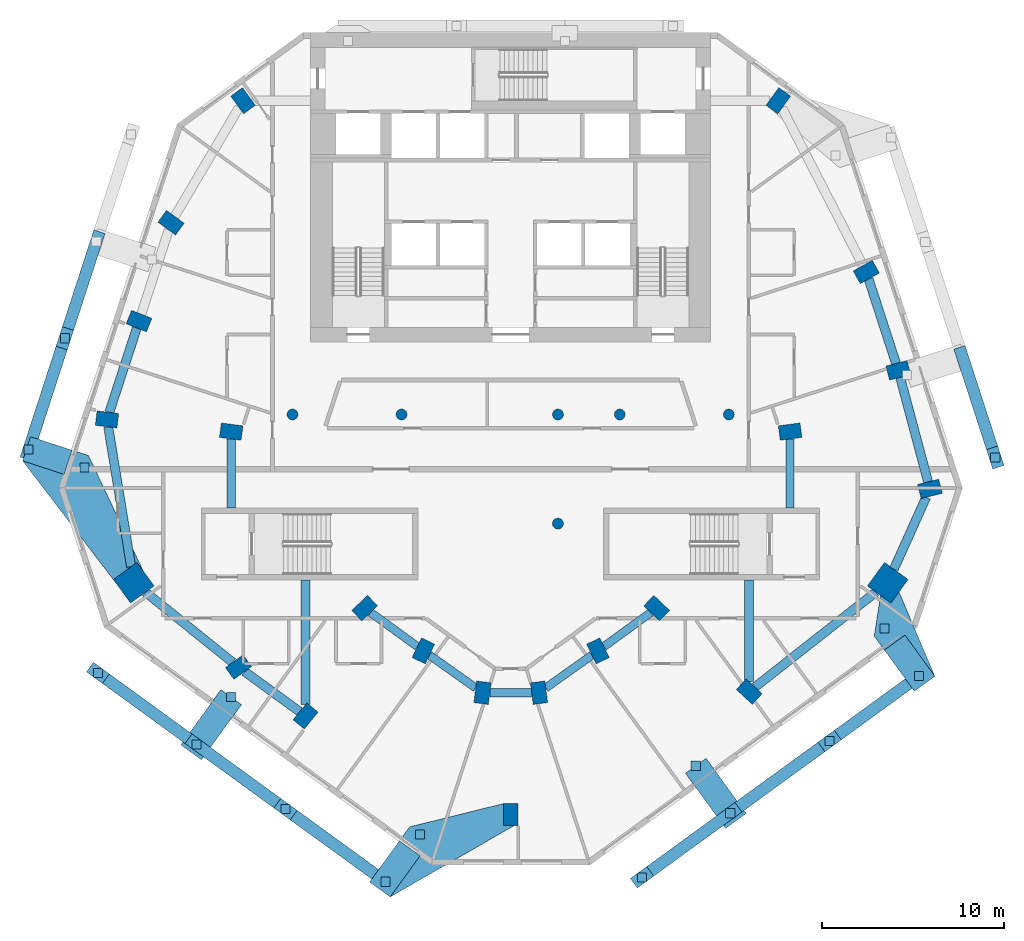
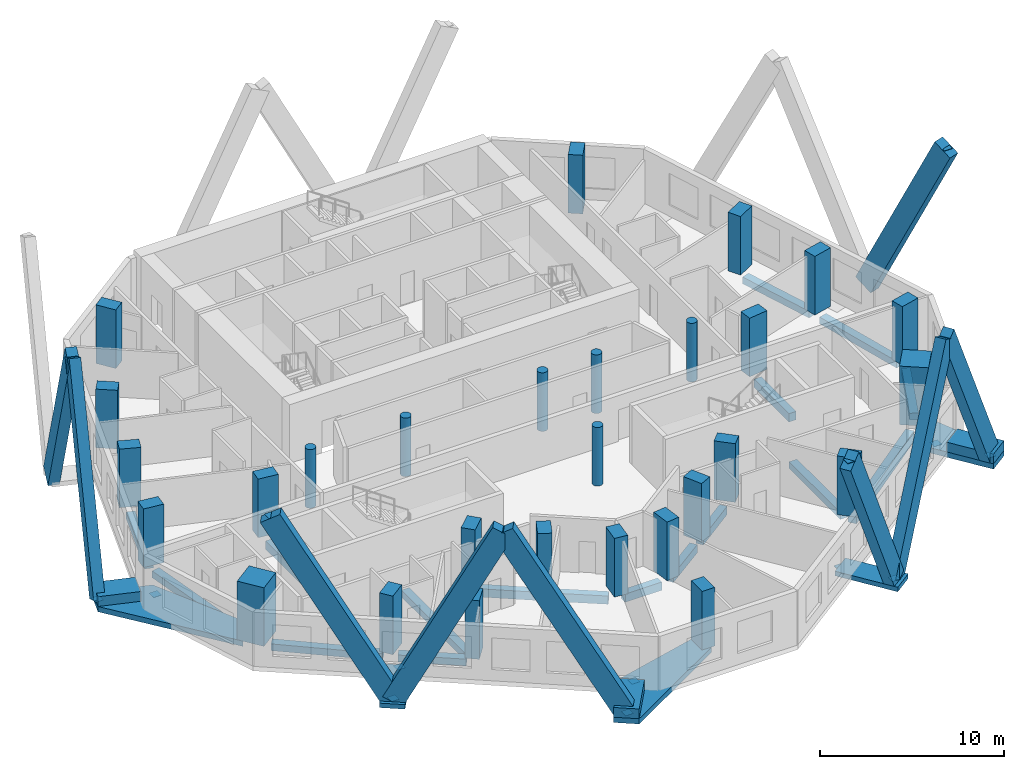
# One storey, part 1 of 10: 28 columns, 17 beams, 17 members, 16 discrete accessories.
"""IFC4 building model written with IfcOpenShell, lengths in metres."""

from ifc_helpers import new_model, si_unit, direction, frame, origin, origin_2d, place, context, subcontext, project, spatial, polyline, rectangle, circle, outline, extrude, material, layer, layer_set, material_profile, profile_set, type_object, element, aggregate, save


model = new_model("IFC4")

# Units and contexts
model_context = context("Model", 3, precision=1e-05, world=origin(), true_north=direction((0.0, 1.0)))
body_context = subcontext(model_context, "Body", "Model", "MODEL_VIEW")
ifc_project = project(units=[si_unit("LENGTHUNIT", "METRE"), si_unit("AREAUNIT", "SQUARE_METRE"), si_unit("VOLUMEUNIT", "CUBIC_METRE"), si_unit("PLANEANGLEUNIT", "RADIAN"), si_unit("MASSUNIT", "GRAM", prefix="KILO")], contexts=[model_context])

# Site, building, storey
site_placement = place(None, origin())
site = spatial("IfcSite", under=ifc_project, at=site_placement, CompositionType="ELEMENT")
building_placement = place(site_placement, origin())
building = spatial("IfcBuilding", under=site, at=building_placement, Name="White Candle Pilgrim Tower", CompositionType="ELEMENT")
storey_placement = place(building_placement, frame((0.0, 0.0, 208.199951171875)))
storey = spatial("IfcBuildingStorey", under=building, at=storey_placement, Name="L48", CompositionType="ELEMENT", Elevation=208.199951171875)

# Columns
ifc_material_1 = material(Name="Concrete C70/85", Category="concrete")
ifc_material_profile_1 = material_profile(ifc_material_1, circle(Radius=0.300048828125, at=origin_2d()), Name="RC-COL D600")
ifc_profile_set_1 = profile_set([ifc_material_profile_1], Name="Concrete C70/85")
column_type_1 = type_object("IfcColumnType", Name="Interior column RC-COL D600 C70/85", PredefinedType="COLUMN", material=ifc_profile_set_1)
for number, where, z_axis, x_axis, name in (
    (1, (58.0, 67.0, 0.0), (0.0, 0.0, 1.0), (1.0, 0.0, 0.0), "L48 column I01"),
    (2, (64.0, 67.0, 0.0), (0.0, 0.0, 1.0), (1.0, 0.0, 0.0), "L48 column I02"),
    (3, (72.60009765625, 61.0, 0.0), (0.0, 0.0, 1.0), (1.0, 0.0, 0.0), "L48 column I03"),
    (4, (72.60009765625, 67.0, 0.0), (0.0, 0.0, 1.0), (1.0, 0.0, 0.0), "L48 column I04"),
    (5, (76.0, 67.0, 0.0), (0.0, 0.0, 1.0), (1.0, 0.0, 0.0), "L48 column I05"),
    (6, (82.0, 67.0, 0.0), (0.0, 0.0, 1.0), (1.0, 0.0, 0.0), "L48 column I06"),
):
    element("IfcColumn", number, at=place(storey_placement, frame(where, z_axis=z_axis, x_axis=x_axis)), inside=storey, type_object=column_type_1, Name=name, PredefinedType="COLUMN", context=body_context, shape_type="SweptSolid", body=[
        extrude(circle(Radius=0.300048828125, at=origin_2d()), origin(), (0.0, 0.0, 1.0), 3.900146484375),
    ])
ifc_material_profile_2 = material_profile(ifc_material_1, rectangle(XDim=1.60009765625, YDim=1.60009765625, at=origin_2d()), Name="RC 1600x1600")
ifc_profile_set_2 = profile_set([ifc_material_profile_2], Name="Concrete C70/85")
column_type_2 = type_object("IfcColumnType", Name="Mega column RC 1600x1600 C70/85", PredefinedType="COLUMN", material=ifc_profile_set_2)
for number, where, z_axis, x_axis, name in (
    (7, (49.27001953125, 57.75, 0.0), (0.0, 0.0, 1.0), (-0.809016994375, -0.587785252292, 0.0), "L48 mega column T01"),
    (8, (90.739990234375, 57.75, 0.0), (0.0, 0.0, 1.0), (0.809016994375, -0.587785252292, 0.0), "L48 mega column T06"),
):
    element("IfcColumn", number, at=place(storey_placement, frame(where, z_axis=z_axis, x_axis=x_axis)), inside=storey, type_object=column_type_2, Name=name, PredefinedType="COLUMN", context=body_context, shape_type="SweptSolid", body=[
        extrude(rectangle(XDim=1.60009765625, YDim=1.60009765625, at=origin_2d()), origin(), (0.0, 0.0, 1.0), 3.900146484375),
    ])
ifc_material_profile_3 = material_profile(ifc_material_1, rectangle(XDim=0.800048828125, YDim=1.199951171875, at=origin_2d()), Name="RC-PR 800x1200")
ifc_profile_set_3 = profile_set([ifc_material_profile_3], Name="Concrete C70/85")
column_type_3 = type_object("IfcColumnType", Name="Perimeter column RC-PR 800x1200 C70/85", PredefinedType="COLUMN", material=ifc_profile_set_3)
for number, where, z_axis, x_axis, name in (
    (9, (55.030029296875, 53.110107421875, 0.0), (0.0, 0.0, 1.0), (-0.58846280644, 0.808524288711, 0.0), "L48 column T02"),
    (10, (58.719970703125, 50.419921875, 0.0), (0.0, 0.0, 1.0), (-0.769310358735, 0.638875239733, 0.0), "L48 column T03"),
    (11, (70.0, 45.0, 0.0), (0.0, 0.0, 1.0), (-1.0, 0.0, 0.0), "L48 column T04"),
    (12, (83.1201171875, 51.760009765625, 0.0), (0.0, 0.0, 1.0), (-0.681998360062, -0.731353701619, 0.0), "L48 column T05"),
    (13, (93.06005859375, 62.909912109375, 0.0), (0.0, 0.0, 1.0), (0.246880623275, -0.969045900797, 0.0), "L48 column T07"),
    (14, (91.320068359375, 69.429931640625, 0.0), (0.0, 0.0, 1.0), (0.246880623275, -0.969045900797, 0.0), "L48 column T08"),
    (15, (89.56005859375, 74.840087890625, 0.0), (0.0, 0.0, 1.0), (0.484809620246, -0.874619707139, 0.0), "L48 column T09"),
    (16, (84.719970703125, 84.260009765625, 0.0), (0.0, 0.0, 1.0), (0.80902725304, -0.587771132193, 0.0), "L48 column T10"),
    (17, (55.280029296875, 84.260009765625, 0.0), (0.0, 0.0, 1.0), (0.80902725304, 0.587771132193, 0.0), "L48 column T11"),
    (18, (51.320068359375, 77.550048828125, 0.0), (0.0, 0.0, 1.0), (0.587107285614, 0.809509132239, 0.0), "L48 column T12"),
    (19, (49.56005859375, 72.139892578125, 0.0), (0.0, 0.0, 1.0), (0.369860269472, 0.929087391512, 0.0), "L48 column T13"),
    (20, (47.800048828125, 66.72998046875, 0.0), (0.0, 0.0, 1.0), (0.121869343405, 0.992546151641, 0.0), "L48 column T14"),
):
    element("IfcColumn", number, at=place(storey_placement, frame(where, z_axis=z_axis, x_axis=x_axis)), inside=storey, type_object=column_type_3, Name=name, PredefinedType="COLUMN", context=body_context, shape_type="SweptSolid", body=[
        extrude(rectangle(XDim=0.800048828125, YDim=1.199951171875, at=origin_2d()), origin(), (0.0, 0.0, 1.0), 3.900146484375),
    ])
ifc_material_profile_4 = material_profile(ifc_material_1, rectangle(XDim=0.800048828125, YDim=1.199951171875, at=origin_2d()), Name="RC-PR 800x1200")
ifc_profile_set_4 = profile_set([ifc_material_profile_4], Name="Concrete C70/85")
column_type_4 = type_object("IfcColumnType", Name="Ring column RC-PR 800x1200 C70/85", PredefinedType="COLUMN", material=ifc_profile_set_4)
for number, where, z_axis, x_axis, name in (
    (21, (61.969970703125, 56.35009765625, 0.0), (0.0, 0.0, 1.0), (-0.689872285383, 0.723931094691, 0.0), "L48 column R01"),
    (22, (65.199951171875, 54.0, 0.0), (0.0, 0.0, 1.0), (-0.901689191761, 0.43238478403, 0.0), "L48 column R02"),
    (23, (68.449951171875, 51.699951171875, 0.0), (0.0, 0.0, 1.0), (-0.992092811428, 0.125506388335, 0.0), "L48 column R03"),
    (24, (71.56005859375, 51.699951171875, 0.0), (0.0, 0.0, 1.0), (-0.992092811428, -0.125506388335, 0.0), "L48 column R04"),
    (25, (74.800048828125, 54.0, 0.0), (0.0, 0.0, 1.0), (-0.901689191761, -0.43238478403, 0.0), "L48 column R05"),
    (26, (78.030029296875, 56.35009765625, 0.0), (0.0, 0.0, 1.0), (-0.689872285383, -0.723931094691, 0.0), "L48 column R06"),
    (27, (85.3701171875, 66.06005859375, 0.0), (0.0, 0.0, 1.0), (0.132602381688, -0.991169313675, 0.0), "L48 column R07"),
    (28, (54.6298828125, 66.06005859375, 0.0), (0.0, 0.0, 1.0), (0.132602381688, 0.991169313675, 0.0), "L48 column R08"),
):
    element("IfcColumn", number, at=place(storey_placement, frame(where, z_axis=z_axis, x_axis=x_axis)), inside=storey, type_object=column_type_4, Name=name, PredefinedType="COLUMN", context=body_context, shape_type="SweptSolid", body=[
        extrude(rectangle(XDim=0.800048828125, YDim=1.199951171875, at=origin_2d()), origin(), (0.0, 0.0, 1.0), 3.900146484375),
    ])

# Member
ifc_material_2 = material(Name="Concrete C70/85, white", Category="concrete")
ifc_material_profile_5 = material_profile(ifc_material_2, rectangle(XDim=0.64990234375, YDim=1.25, at=origin_2d()), Name="RC-DG 650x1250")
ifc_profile_set_5 = profile_set([ifc_material_profile_5], Name="Concrete C70/85, white")
member_type_1 = type_object("IfcMemberType", Name="Exoskeleton diagonal RC-DG 650x1250 C70/85", PredefinedType="BRACE", material=ifc_profile_set_5)
member_1_placement = place(storey_placement, frame((94.856201171875, 70.162841796875, 0.0), z_axis=(0.137470252025, -0.423100395032, 0.895593649783), x_axis=(0.951058762253, 0.309010081941, 0.0)))
member_1 = element("IfcMember", 29, at=member_1_placement, inside=storey, type_object=member_type_1, Name="Exoskeleton diagonal EX196", PredefinedType="BRACE", context=body_context, shape_type="SweptSolid", body=[
    extrude(rectangle(XDim=0.64990234375, YDim=1.25, at=origin_2d()), origin(), (0.0, 0.0, 1.0), 13.06396484375),
])

member_2_placement = place(storey_placement, frame((82.077392578125, 45.072509765625, 0.0), z_axis=(-0.369076415392, -0.268135612712, 0.889879706925), x_axis=(0.587765023892, -0.809031690782, 0.0)))
member_2 = element("IfcMember", 30, at=member_2_placement, inside=storey, type_object=member_type_1, Name="Exoskeleton diagonal EX208", PredefinedType="BRACE", context=body_context, shape_type="SweptSolid", body=[
    extrude(rectangle(XDim=0.64990234375, YDim=1.25, at=origin_2d()), origin(), (0.0, 0.0, 1.0), 13.147705078125),
])

member_3_placement = place(storey_placement, frame((82.077392578125, 45.072509765625, 0.0), z_axis=(0.404490910565, 0.293894280414, 0.86603305665), x_axis=(-0.58780414397, 0.809003268431, 0.0)))
member_3 = element("IfcMember", 31, at=member_3_placement, inside=storey, type_object=member_type_1, Name="Exoskeleton diagonal EX209", PredefinedType="BRACE", context=body_context, shape_type="SweptSolid", body=[
    extrude(rectangle(XDim=0.64990234375, YDim=1.25, at=origin_2d()), origin(), (0.0, 0.0, 1.0), 13.509765625),
])

member_4_placement = place(storey_placement, frame((92.45947265625, 52.61572265625, 0.0), z_axis=(-0.372970068371, -0.270978253427, 0.887391747916), x_axis=(0.587784737056, -0.809017368716, 0.0)))
member_4 = element("IfcMember", 32, at=member_4_placement, inside=storey, type_object=member_type_1, Name="Exoskeleton diagonal EX210", PredefinedType="BRACE", context=body_context, shape_type="SweptSolid", body=[
    extrude(rectangle(XDim=0.64990234375, YDim=1.25, at=origin_2d()), origin(), (0.0, 0.0, 1.0), 13.1845703125),
])

member_5_placement = place(storey_placement, frame((52.731689453125, 48.84423828125, 0.0), z_axis=(-0.402687154242, 0.292559004419, 0.867324786191), x_axis=(-0.587771657404, -0.809026871465, 0.0)))
member_5 = element("IfcMember", 33, at=member_5_placement, inside=storey, type_object=member_type_1, Name="Exoskeleton diagonal EX220", PredefinedType="BRACE", context=body_context, shape_type="SweptSolid", body=[
    extrude(rectangle(XDim=0.64990234375, YDim=1.25, at=origin_2d()), origin(), (0.0, 0.0, 1.0), 13.48974609375),
])

member_6_placement = place(storey_placement, frame((52.731689453125, 48.84423828125, 0.0), z_axis=(0.371027332163, -0.269559914421, 0.888637255198), x_axis=(0.587774946122, 0.809024482146, 0.0)))
member_6 = element("IfcMember", 34, at=member_6_placement, inside=storey, type_object=member_type_1, Name="Exoskeleton diagonal EX221", PredefinedType="BRACE", context=body_context, shape_type="SweptSolid", body=[
    extrude(rectangle(XDim=0.64990234375, YDim=1.25, at=origin_2d()), origin(), (0.0, 0.0, 1.0), 13.166259765625),
])

member_7_placement = place(storey_placement, frame((63.11376953125, 41.301025390625, 0.0), z_axis=(-0.406288754375, 0.295207142546, 0.864744003193), x_axis=(-0.587812729451, -0.808997030338, 0.0)))
member_7 = element("IfcMember", 35, at=member_7_placement, inside=storey, type_object=member_type_1, Name="Exoskeleton diagonal EX222", PredefinedType="BRACE", context=body_context, shape_type="SweptSolid", body=[
    extrude(rectangle(XDim=0.64990234375, YDim=1.25, at=origin_2d()), origin(), (0.0, 0.0, 1.0), 13.530029296875),
])

member_8_placement = place(storey_placement, frame((47.208251953125, 76.51611328125, 0.0), z_axis=(-0.133351284051, -0.410369564133, 0.902116542291), x_axis=(0.951046891837, -0.309046613843, 0.0)))
member_8 = element("IfcMember", 36, at=member_8_placement, inside=storey, type_object=member_type_1, Name="Exoskeleton diagonal EX233", PredefinedType="BRACE", context=body_context, shape_type="SweptSolid", body=[
    extrude(rectangle(XDim=0.64990234375, YDim=1.25, at=origin_2d()), origin(), (0.0, 0.0, 1.0), 12.969482421875),
])

member_9_placement = place(storey_placement, frame((43.491455078125, 65.077392578125, 0.0), z_axis=(0.148850599822, 0.458127036529, 0.87633504856), x_axis=(-0.951058894318, 0.309009675478, 0.0)))
member_9 = element("IfcMember", 37, at=member_9_placement, inside=storey, type_object=member_type_1, Name="Exoskeleton diagonal EX234", PredefinedType="BRACE", context=body_context, shape_type="SweptSolid", body=[
    extrude(rectangle(XDim=0.64990234375, YDim=1.25, at=origin_2d()), origin(), (0.0, 0.0, 1.0), 13.35107421875),
])

ifc_layer_1 = layer(ifc_material_2, 0.300048828125)
ifc_layer_set_1 = layer_set([ifc_layer_1], Name="Node tie strut 3350x1400x300 C70/85")
member_type_2 = type_object("IfcMemberType", Name="Node tie strut 3350x1400x300 C70/85", PredefinedType="STRUT", material=ifc_layer_set_1)
member_10_placement = place(storey_placement, frame((0.0, 0.0, -0.349853515625)))
member_10 = element("IfcMember", 38, at=member_10_placement, inside=storey, type_object=member_type_2, Name="Node tie strut NC171", PredefinedType="STRUT", context=body_context, shape_type="SweptSolid", body=[
    extrude(outline(polyline([(48.349853515625, 57.655517578125), (48.152587890625, 57.927001953125), (49.447021484375, 58.867431640625), (49.7958984375, 58.38720703125), (46.77490234375, 64.74658203125), (43.589111328125, 65.78173828125), (43.156494140625, 64.450439453125), (48.349853515625, 57.655517578125)])), origin(), (0.0, 0.0, 1.0), 0.349853515625),
])

member_11_placement = place(storey_placement, origin())
element("IfcMember", 39, at=member_11_placement, inside=storey, type_object=member_type_2, Name="Node tie strut NC171", PredefinedType="STRUT", context=body_context, shape_type="SweptSolid", body=[
    extrude(outline(polyline([(45.43896484375, 63.708740234375), (45.87158203125, 65.040283203125), (43.589111328125, 65.78173828125), (43.156494140625, 64.450439453125), (45.43896484375, 63.708740234375)])), origin(), (0.0, 0.0, 1.0), 0.650146484375),
])

ifc_layer_2 = layer(ifc_material_2, 0.300048828125)
ifc_layer_set_2 = layer_set([ifc_layer_2], Name="Node tie strut 3750x1400x300 C70/85")
member_type_3 = type_object("IfcMemberType", Name="Node tie strut 3750x1400x300 C70/85", PredefinedType="STRUT", material=ifc_layer_set_2)
member_12_placement = place(storey_placement, frame((81.28369140625, 46.164794921875, -0.2998046875), z_axis=(0.0, 0.0, 1.0), x_axis=(0.809016994375, 0.587785252292, 0.0)))
member_12 = element("IfcMember", 40, at=member_12_placement, inside=storey, type_object=member_type_3, Name="Node tie strut NC166", PredefinedType="STRUT", context=body_context, shape_type="SweptSolid", body=[
    extrude(rectangle(XDim=1.39990234375, YDim=3.75, at=origin_2d()), origin(), (0.0, 0.0, 1.0), 0.300048828125),
])

member_13_placement = place(storey_placement, frame((0.0, 0.0, -0.349853515625)))
member_13 = element("IfcMember", 41, at=member_13_placement, inside=storey, type_object=member_type_3, Name="Node tie strut NC167", PredefinedType="STRUT", context=body_context, shape_type="SweptSolid", body=[
    extrude(outline(polyline([(92.20166015625, 51.779541015625), (93.334228515625, 52.602294921875), (91.35693359375, 57.238037109375), (90.9169921875, 56.632568359375), (90.34326171875, 57.04931640625), (89.99755859375, 54.8134765625), (92.20166015625, 51.779541015625)])), origin(), (0.0, 0.0, 1.0), 0.349853515625),
])

member_14_placement = place(storey_placement, origin())
element("IfcMember", 42, at=member_14_placement, inside=storey, type_object=member_type_3, Name="Node tie strut NC167", PredefinedType="STRUT", context=body_context, shape_type="SweptSolid", body=[
    extrude(outline(polyline([(92.20166015625, 51.779541015625), (93.334228515625, 52.602294921875), (91.6884765625, 54.86767578125), (90.555908203125, 54.044921875), (92.20166015625, 51.779541015625)])), origin(), (0.0, 0.0, 1.0), 0.650146484375),
])

member_15_placement = place(storey_placement, frame((53.525146484375, 49.936279296875, -0.2998046875), z_axis=(0.0, 0.0, 1.0), x_axis=(0.809016994375, -0.587785252292, 0.0)))
member_15 = element("IfcMember", 43, at=member_15_placement, inside=storey, type_object=member_type_3, Name="Node tie strut NC168", PredefinedType="STRUT", context=body_context, shape_type="SweptSolid", body=[
    extrude(rectangle(XDim=1.39990234375, YDim=3.75, at=origin_2d()), origin(), (0.0, 0.0, 1.0), 0.300048828125),
])

member_16_placement = place(storey_placement, frame((0.0, 0.0, -0.349853515625)))
member_16 = element("IfcMember", 44, at=member_16_placement, inside=storey, type_object=member_type_3, Name="Node tie strut NC169", PredefinedType="STRUT", context=body_context, shape_type="SweptSolid", body=[
    extrude(outline(polyline([(63.37158203125, 40.46484375), (70.20751953125, 44.39990234375), (69.60009765625, 44.39990234375), (69.60009765625, 45.60009765625), (64.443115234375, 44.32177734375), (62.239013671875, 41.287841796875), (63.37158203125, 40.46484375)])), origin(), (0.0, 0.0, 1.0), 0.349853515625),
])

member_17_placement = place(storey_placement, origin())
element("IfcMember", 45, at=member_17_placement, inside=storey, type_object=member_type_3, Name="Node tie strut NC169", PredefinedType="STRUT", context=body_context, shape_type="SweptSolid", body=[
    extrude(outline(polyline([(63.37158203125, 40.46484375), (65.017333984375, 42.730224609375), (63.884765625, 43.552978515625), (62.239013671875, 41.287841796875), (63.37158203125, 40.46484375)])), origin(), (0.0, 0.0, 1.0), 0.650146484375),
])

# Beams
ifc_material_3 = material(Name="Concrete C50/60", Category="concrete")
ifc_material_profile_6 = material_profile(ifc_material_3, rectangle(XDim=0.449951171875, YDim=0.550048828125, at=origin_2d()), Name="RC-BM 450x550")
ifc_profile_set_6 = profile_set([ifc_material_profile_6], Name="Concrete C50/60")
beam_type_1 = type_object("IfcBeamType", Name="Ring beam RC-BM 450x550 C50/60", PredefinedType="BEAM", material=ifc_profile_set_6)
beam_1_placement = place(storey_placement, frame((62.298828125, 56.11083984375, -0.574951171875), z_axis=(0.808609951168, -0.588345091653, 0.0), x_axis=(0.588345091653, 0.808609951168, 0.0)))
element("IfcBeam", 46, at=beam_1_placement, inside=storey, type_object=beam_type_1, Name="L48 ring beam R01", PredefinedType="BEAM", context=body_context, shape_type="SweptSolid", body=[
    extrude(rectangle(XDim=0.449951171875, YDim=0.550048828125, at=origin_2d()), origin(), (0.0, 0.0, 1.0), 3.18115234375),
])
beam_2_placement = place(storey_placement, frame((65.53125, 53.765625, -0.574951171875), z_axis=(0.816256463166, -0.577689697277, 0.0), x_axis=(0.577689697277, 0.816256463166, 0.0)))
element("IfcBeam", 47, at=beam_2_placement, inside=storey, type_object=beam_type_1, Name="L48 ring beam R02", PredefinedType="BEAM", context=body_context, shape_type="SweptSolid", body=[
    extrude(rectangle(XDim=0.449951171875, YDim=0.550048828125, at=origin_2d()), origin(), (0.0, 0.0, 1.0), 3.122314453125),
])
beam_3_placement = place(storey_placement, frame((68.853271484375, 51.699951171875, -0.574951171875), z_axis=(1.0, 0.0, 0.0), x_axis=(0.0, 1.0, 0.0)))
element("IfcBeam", 48, at=beam_3_placement, inside=storey, type_object=beam_type_1, Name="L48 ring beam R03", PredefinedType="BEAM", context=body_context, shape_type="SweptSolid", body=[
    extrude(rectangle(XDim=0.449951171875, YDim=0.550048828125, at=origin_2d()), origin(), (0.0, 0.0, 1.0), 2.303466796875),
])
beam_4_placement = place(storey_placement, frame((71.929931640625, 51.962646484375, -0.574951171875), z_axis=(0.815419993855, 0.578869789868, 0.0), x_axis=(-0.578869789868, 0.815419993855, 0.0)))
element("IfcBeam", 49, at=beam_4_placement, inside=storey, type_object=beam_type_1, Name="L48 ring beam R04", PredefinedType="BEAM", context=body_context, shape_type="SweptSolid", body=[
    extrude(rectangle(XDim=0.449951171875, YDim=0.550048828125, at=origin_2d()), origin(), (0.0, 0.0, 1.0), 3.11376953125),
])
beam_5_placement = place(storey_placement, frame((75.12890625, 54.2392578125, -0.574951171875), z_axis=(0.808609951168, 0.588345091653, 0.0), x_axis=(-0.588345091653, 0.808609951168, 0.0)))
element("IfcBeam", 50, at=beam_5_placement, inside=storey, type_object=beam_type_1, Name="L48 ring beam R05", PredefinedType="BEAM", context=body_context, shape_type="SweptSolid", body=[
    extrude(rectangle(XDim=0.449951171875, YDim=0.550048828125, at=origin_2d()), origin(), (0.0, 0.0, 1.0), 3.18115234375),
])
for number, where, z_axis, x_axis, name in (
    (51, (85.3701171875, 65.656494140625, -0.574951171875), (0.0, -1.0, 0.0), (1.0, 0.0, 0.0), "L48 ring beam R06"),
    (52, (54.6298828125, 65.656494140625, -0.574951171875), (0.0, -1.0, 0.0), (1.0, 0.0, 0.0), "L48 ring beam R07"),
):
    element("IfcBeam", number, at=place(storey_placement, frame(where, z_axis=z_axis, x_axis=x_axis)), inside=storey, type_object=beam_type_1, Name=name, PredefinedType="BEAM", context=body_context, shape_type="SweptSolid", body=[
        extrude(rectangle(XDim=0.449951171875, YDim=0.550048828125, at=origin_2d()), origin(), (0.0, 0.0, 1.0), 3.806396484375),
    ])
ifc_material_profile_7 = material_profile(ifc_material_3, rectangle(XDim=0.5, YDim=0.449951171875, at=origin_2d()), Name="RC-BM 500x450")
ifc_profile_set_7 = profile_set([ifc_material_profile_7], Name="Concrete C50/60")
beam_type_2 = type_object("IfcBeamType", Name="Spandrel beam RC-BM 500x450 C50/60", PredefinedType="BEAM", material=ifc_profile_set_7)
beam_6_placement = place(storey_placement, frame((49.915283203125, 57.22998046875, -0.52490234375), z_axis=(0.778778136726, -0.62729946099, 0.0), x_axis=(0.62729946099, 0.778778136726, 0.0)))
element("IfcBeam", 53, at=beam_6_placement, inside=storey, type_object=beam_type_2, Name="L48 spandrel beam T01", PredefinedType="BEAM", context=body_context, shape_type="SweptSolid", body=[
    extrude(rectangle(XDim=0.5, YDim=0.449951171875, at=origin_2d()), origin(), (0.0, 0.0, 1.0), 6.153564453125),
])
beam_7_placement = place(storey_placement, frame((55.36962890625, 52.8623046875, -0.52490234375), z_axis=(0.808061834145, -0.58909767628, 0.0), x_axis=(0.58909767628, 0.808061834145, 0.0)))
element("IfcBeam", 54, at=beam_7_placement, inside=storey, type_object=beam_type_2, Name="L48 spandrel beam T02", PredefinedType="BEAM", context=body_context, shape_type="SweptSolid", body=[
    extrude(rectangle(XDim=0.5, YDim=0.449951171875, at=origin_2d()), origin(), (0.0, 0.0, 1.0), 3.7451171875),
])
beam_8_placement = place(storey_placement, frame((58.719970703125, 51.046142578125, -0.52490234375), z_axis=(0.0, 1.0, 0.0), x_axis=(-1.0, 0.0, 0.0)))
element("IfcBeam", 55, at=beam_8_placement, inside=storey, type_object=beam_type_2, Name="L48 spandrel beam T03", PredefinedType="BEAM", context=body_context, shape_type="SweptSolid", body=[
    extrude(rectangle(XDim=0.5, YDim=0.449951171875, at=origin_2d()), origin(), (0.0, 0.0, 1.0), 6.853759765625),
])
beam_9_placement = place(storey_placement, frame((83.1201171875, 52.306884765625, -0.52490234375), z_axis=(0.0, 1.0, 0.0), x_axis=(-1.0, 0.0, 0.0)))
element("IfcBeam", 56, at=beam_9_placement, inside=storey, type_object=beam_type_2, Name="L48 spandrel beam T04", PredefinedType="BEAM", context=body_context, shape_type="SweptSolid", body=[
    extrude(rectangle(XDim=0.5, YDim=0.449951171875, at=origin_2d()), origin(), (0.0, 0.0, 1.0), 5.593017578125),
])
beam_10_placement = place(storey_placement, frame((91.0751953125, 58.495361328125, -0.52490234375), z_axis=(0.410043403319, 0.912066010437, 0.0), x_axis=(-0.912066010437, 0.410043403319, 0.0)))
element("IfcBeam", 57, at=beam_10_placement, inside=storey, type_object=beam_type_2, Name="L48 spandrel beam T06", PredefinedType="BEAM", context=body_context, shape_type="SweptSolid", body=[
    extrude(rectangle(XDim=0.5, YDim=0.449951171875, at=origin_2d()), origin(), (0.0, 0.0, 1.0), 4.3291015625),
])
beam_11_placement = place(storey_placement, frame((92.956787109375, 63.29638671875, -0.52490234375), z_axis=(-0.257841470678, 0.966187236512, 0.0), x_axis=(-0.966187236512, -0.257841470678, 0.0)))
element("IfcBeam", 58, at=beam_11_placement, inside=storey, type_object=beam_type_2, Name="L48 spandrel beam T07", PredefinedType="BEAM", context=body_context, shape_type="SweptSolid", body=[
    extrude(rectangle(XDim=0.5, YDim=0.449951171875, at=origin_2d()), origin(), (0.0, 0.0, 1.0), 5.9482421875),
])
beam_12_placement = place(storey_placement, frame((91.196044921875, 69.811279296875, -0.52490234375), z_axis=(-0.309391453236, 0.950934765725, 0.0), x_axis=(-0.950934765725, -0.309391453236, 0.0)))
element("IfcBeam", 59, at=beam_12_placement, inside=storey, type_object=beam_type_2, Name="L48 spandrel beam T08", PredefinedType="BEAM", context=body_context, shape_type="SweptSolid", body=[
    extrude(rectangle(XDim=0.5, YDim=0.449951171875, at=origin_2d()), origin(), (0.0, 0.0, 1.0), 4.880615234375),
])
beam_13_placement = place(storey_placement, frame((49.43603515625, 71.7587890625, -0.52490234375), z_axis=(-0.309376736615, -0.950939553726, 0.0), x_axis=(0.950939553726, -0.309376736615, 0.0)))
element("IfcBeam", 60, at=beam_13_placement, inside=storey, type_object=beam_type_2, Name="L48 spandrel beam T14", PredefinedType="BEAM", context=body_context, shape_type="SweptSolid", body=[
    extrude(rectangle(XDim=0.5, YDim=0.449951171875, at=origin_2d()), origin(), (0.0, 0.0, 1.0), 4.880859375),
])
beam_14_placement = place(storey_placement, frame((47.8671875, 66.318603515625, -0.52490234375), z_axis=(0.161556298314, -0.986863497387, 0.0), x_axis=(0.986863497387, 0.161556298314, 0.0)))
element("IfcBeam", 61, at=beam_14_placement, inside=storey, type_object=beam_type_2, Name="L48 spandrel beam T15", PredefinedType="BEAM", context=body_context, shape_type="SweptSolid", body=[
    extrude(rectangle(XDim=0.5, YDim=0.449951171875, at=origin_2d()), origin(), (0.0, 0.0, 1.0), 7.787109375),
])
ifc_material_profile_8 = material_profile(ifc_material_3, rectangle(XDim=0.5, YDim=0.699951171875, at=origin_2d()), Name="RC-BM 500x700")
ifc_profile_set_8 = profile_set([ifc_material_profile_8], Name="Concrete C50/60")
beam_type_3 = type_object("IfcBeamType", Name="Spandrel beam RC-BM 500x700 C50/60", PredefinedType="BEAM", material=ifc_profile_set_8)
beam_15_placement = place(storey_placement, frame((83.438232421875, 52.01025390625, -0.64990234375), z_axis=(0.786178058268, 0.618000049109, 0.0), x_axis=(-0.618000049109, 0.786178058268, 0.0)))
element("IfcBeam", 62, at=beam_15_placement, inside=storey, type_object=beam_type_3, Name="L48 spandrel beam T05", PredefinedType="BEAM", context=body_context, shape_type="SweptSolid", body=[
    extrude(rectangle(XDim=0.5, YDim=0.699951171875, at=origin_2d()), origin(), (0.0, 0.0, 1.0), 8.4560546875),
])

# Discrete accessory
ifc_material_4 = material(Name="Steel S355", Category="steel")
ifc_layer_3 = layer(ifc_material_4, 0.02490234375)
ifc_layer_set_3 = layer_set([ifc_layer_3], Name="Gusset plate 500x500x25 S355")
discrete_accessory_type = type_object("IfcDiscreteAccessoryType", Name="Gusset plate 500x500x25 S355", PredefinedType="BRACKET", material=ifc_layer_set_3)
placement = place(building_placement, frame((0.0, 0.0, 219.89990234375)))
discrete_accessory_1_placement = place(placement, frame((96.652099609375, 64.635498046875, -0.012451171875), z_axis=(0.0, 0.0, 1.0), x_axis=(1.0, 0.0, 0.0)))
discrete_accessory_1 = element("IfcDiscreteAccessory", 63, at=discrete_accessory_1_placement, type_object=discrete_accessory_type, Name="Gusset plate 0221", PredefinedType="BRACKET", context=body_context, shape_type="SweptSolid", body=[
    extrude(rectangle(XDim=0.5, YDim=0.5, at=origin_2d()), origin(), (0.0, 0.0, 1.0), 0.02490234375),
])

aggregate(member_1, [discrete_accessory_1])

discrete_accessory_2_placement = place(storey_placement, frame((82.077392578125, 45.072509765625, -0.012451171875), z_axis=(0.0, 0.0, 1.0), x_axis=(1.0, 0.0, 0.0)))
discrete_accessory_2 = element("IfcDiscreteAccessory", 64, at=discrete_accessory_2_placement, type_object=discrete_accessory_type, Name="Gusset plate 0236", PredefinedType="BRACKET", context=body_context, shape_type="SweptSolid", body=[
    extrude(rectangle(XDim=0.5, YDim=0.5, at=origin_2d()), origin(), (0.0, 0.0, 1.0), 0.02490234375),
])

discrete_accessory_3_placement = place(placement, frame((77.224853515625, 41.547119140625, -0.012451171875), z_axis=(0.0, 0.0, 1.0), x_axis=(1.0, 0.0, 0.0)))
discrete_accessory_3 = element("IfcDiscreteAccessory", 65, at=discrete_accessory_3_placement, type_object=discrete_accessory_type, Name="Gusset plate 0237", PredefinedType="BRACKET", context=body_context, shape_type="SweptSolid", body=[
    extrude(rectangle(XDim=0.5, YDim=0.5, at=origin_2d()), origin(), (0.0, 0.0, 1.0), 0.02490234375),
])

aggregate(member_2, [discrete_accessory_2, discrete_accessory_3])

discrete_accessory_4_placement = place(placement, frame((87.5419921875, 49.04296875, -0.012451171875), z_axis=(0.0, 0.0, 1.0), x_axis=(1.0, 0.0, 0.0)))
discrete_accessory_4 = element("IfcDiscreteAccessory", 66, at=discrete_accessory_4_placement, type_object=discrete_accessory_type, Name="Gusset plate 0238", PredefinedType="BRACKET", context=body_context, shape_type="SweptSolid", body=[
    extrude(rectangle(XDim=0.5, YDim=0.5, at=origin_2d()), origin(), (0.0, 0.0, 1.0), 0.02490234375),
])

aggregate(member_3, [discrete_accessory_4])

discrete_accessory_5_placement = place(storey_placement, frame((92.45947265625, 52.61572265625, -0.012451171875), z_axis=(0.0, 0.0, 1.0), x_axis=(1.0, 0.0, 0.0)))
discrete_accessory_5 = element("IfcDiscreteAccessory", 67, at=discrete_accessory_5_placement, type_object=discrete_accessory_type, Name="Gusset plate 0239", PredefinedType="BRACKET", context=body_context, shape_type="SweptSolid", body=[
    extrude(rectangle(XDim=0.5, YDim=0.5, at=origin_2d()), origin(), (0.0, 0.0, 1.0), 0.02490234375),
])

aggregate(member_4, [discrete_accessory_5])

discrete_accessory_6_placement = place(storey_placement, frame((52.731689453125, 48.84423828125, -0.012451171875), z_axis=(0.0, 0.0, 1.0), x_axis=(1.0, 0.0, 0.0)))
discrete_accessory_6 = element("IfcDiscreteAccessory", 68, at=discrete_accessory_6_placement, type_object=discrete_accessory_type, Name="Gusset plate 0252", PredefinedType="BRACKET", context=body_context, shape_type="SweptSolid", body=[
    extrude(rectangle(XDim=0.5, YDim=0.5, at=origin_2d()), origin(), (0.0, 0.0, 1.0), 0.02490234375),
])

discrete_accessory_7_placement = place(placement, frame((47.299560546875, 52.790771484375, -0.012451171875), z_axis=(0.0, 0.0, 1.0), x_axis=(1.0, 0.0, 0.0)))
discrete_accessory_7 = element("IfcDiscreteAccessory", 69, at=discrete_accessory_7_placement, type_object=discrete_accessory_type, Name="Gusset plate 0253", PredefinedType="BRACKET", context=body_context, shape_type="SweptSolid", body=[
    extrude(rectangle(XDim=0.5, YDim=0.5, at=origin_2d()), origin(), (0.0, 0.0, 1.0), 0.02490234375),
])

aggregate(member_5, [discrete_accessory_6, discrete_accessory_7])

discrete_accessory_8_placement = place(placement, frame((57.61669921875, 45.295166015625, -0.012451171875), z_axis=(0.0, 0.0, 1.0), x_axis=(1.0, 0.0, 0.0)))
discrete_accessory_8 = element("IfcDiscreteAccessory", 70, at=discrete_accessory_8_placement, type_object=discrete_accessory_type, Name="Gusset plate 0254", PredefinedType="BRACKET", context=body_context, shape_type="SweptSolid", body=[
    extrude(rectangle(XDim=0.5, YDim=0.5, at=origin_2d()), origin(), (0.0, 0.0, 1.0), 0.02490234375),
])

aggregate(member_6, [discrete_accessory_8])

discrete_accessory_9_placement = place(storey_placement, frame((63.11376953125, 41.301025390625, -0.012451171875), z_axis=(0.0, 0.0, 1.0), x_axis=(1.0, 0.0, 0.0)))
discrete_accessory_9 = element("IfcDiscreteAccessory", 71, at=discrete_accessory_9_placement, type_object=discrete_accessory_type, Name="Gusset plate 0255", PredefinedType="BRACKET", context=body_context, shape_type="SweptSolid", body=[
    extrude(rectangle(XDim=0.5, YDim=0.5, at=origin_2d()), origin(), (0.0, 0.0, 1.0), 0.02490234375),
])

aggregate(member_7, [discrete_accessory_9])

discrete_accessory_10_placement = place(placement, frame((45.478759765625, 71.19384765625, -0.012451171875), z_axis=(0.0, 0.0, 1.0), x_axis=(1.0, 0.0, 0.0)))
discrete_accessory_10 = element("IfcDiscreteAccessory", 72, at=discrete_accessory_10_placement, type_object=discrete_accessory_type, Name="Gusset plate 0271", PredefinedType="BRACKET", context=body_context, shape_type="SweptSolid", body=[
    extrude(rectangle(XDim=0.5, YDim=0.5, at=origin_2d()), origin(), (0.0, 0.0, 1.0), 0.02490234375),
])

aggregate(member_8, [discrete_accessory_10])

discrete_accessory_11_placement = place(storey_placement, frame((43.491455078125, 65.077392578125, -0.012451171875), z_axis=(0.0, 0.0, 1.0), x_axis=(1.0, 0.0, 0.0)))
discrete_accessory_11 = element("IfcDiscreteAccessory", 73, at=discrete_accessory_11_placement, type_object=discrete_accessory_type, Name="Gusset plate 0272", PredefinedType="BRACKET", context=body_context, shape_type="SweptSolid", body=[
    extrude(rectangle(XDim=0.5, YDim=0.5, at=origin_2d()), origin(), (0.0, 0.0, 1.0), 0.02490234375),
])

aggregate(member_9, [discrete_accessory_11])

discrete_accessory_12_placement = place(storey_placement, frame((80.181640625, 47.681640625, -0.162353515625), z_axis=(0.0, 0.0, 1.0), x_axis=(1.0, 0.0, 0.0)))
discrete_accessory_12 = element("IfcDiscreteAccessory", 74, at=discrete_accessory_12_placement, type_object=discrete_accessory_type, Name="Gusset plate 0547", PredefinedType="BRACKET", context=body_context, shape_type="SweptSolid", body=[
    extrude(rectangle(XDim=0.5, YDim=0.5, at=origin_2d()), origin(), (0.0, 0.0, 1.0), 0.02490234375),
])

aggregate(member_12, [discrete_accessory_12])

discrete_accessory_13_placement = place(storey_placement, frame((90.563720703125, 55.224853515625, -0.162353515625), z_axis=(0.0, 0.0, 1.0), x_axis=(1.0, 0.0, 0.0)))
discrete_accessory_13 = element("IfcDiscreteAccessory", 75, at=discrete_accessory_13_placement, type_object=discrete_accessory_type, Name="Gusset plate 0548", PredefinedType="BRACKET", context=body_context, shape_type="SweptSolid", body=[
    extrude(rectangle(XDim=0.5, YDim=0.5, at=origin_2d()), origin(), (0.0, 0.0, 1.0), 0.02490234375),
])

aggregate(member_13, [discrete_accessory_13])

discrete_accessory_14_placement = place(storey_placement, frame((54.627197265625, 51.453125, -0.162353515625), z_axis=(0.0, 0.0, 1.0), x_axis=(1.0, 0.0, 0.0)))
discrete_accessory_14 = element("IfcDiscreteAccessory", 76, at=discrete_accessory_14_placement, type_object=discrete_accessory_type, Name="Gusset plate 0549", PredefinedType="BRACKET", context=body_context, shape_type="SweptSolid", body=[
    extrude(rectangle(XDim=0.5, YDim=0.5, at=origin_2d()), origin(), (0.0, 0.0, 1.0), 0.02490234375),
])

aggregate(member_15, [discrete_accessory_14])

discrete_accessory_15_placement = place(storey_placement, frame((65.009521484375, 43.91015625, -0.162353515625), z_axis=(0.0, 0.0, 1.0), x_axis=(1.0, 0.0, 0.0)))
discrete_accessory_15 = element("IfcDiscreteAccessory", 77, at=discrete_accessory_15_placement, type_object=discrete_accessory_type, Name="Gusset plate 0550", PredefinedType="BRACKET", context=body_context, shape_type="SweptSolid", body=[
    extrude(rectangle(XDim=0.5, YDim=0.5, at=origin_2d()), origin(), (0.0, 0.0, 1.0), 0.02490234375),
])

aggregate(member_16, [discrete_accessory_15])

discrete_accessory_16_placement = place(storey_placement, frame((46.55859375, 64.080810546875, -0.162353515625), z_axis=(0.0, 0.0, 1.0), x_axis=(1.0, 0.0, 0.0)))
discrete_accessory_16 = element("IfcDiscreteAccessory", 78, at=discrete_accessory_16_placement, type_object=discrete_accessory_type, Name="Gusset plate 0552", PredefinedType="BRACKET", context=body_context, shape_type="SweptSolid", body=[
    extrude(rectangle(XDim=0.5, YDim=0.5, at=origin_2d()), origin(), (0.0, 0.0, 1.0), 0.02490234375),
])

aggregate(member_10, [discrete_accessory_16])

save(model, "model.ifc")
